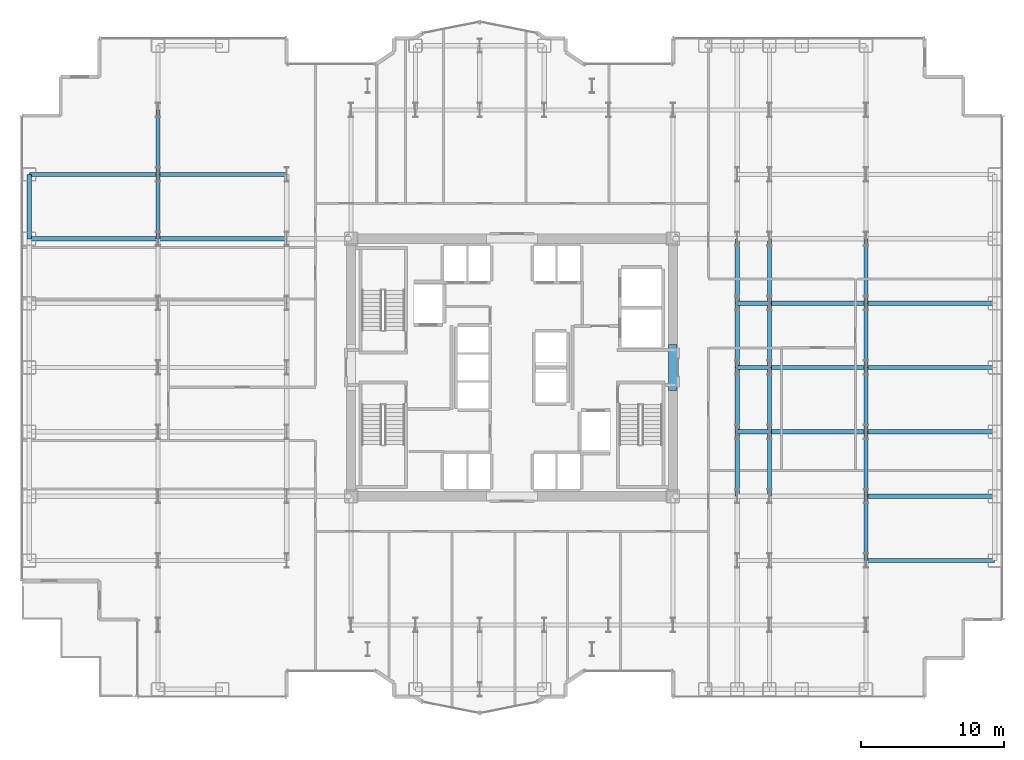
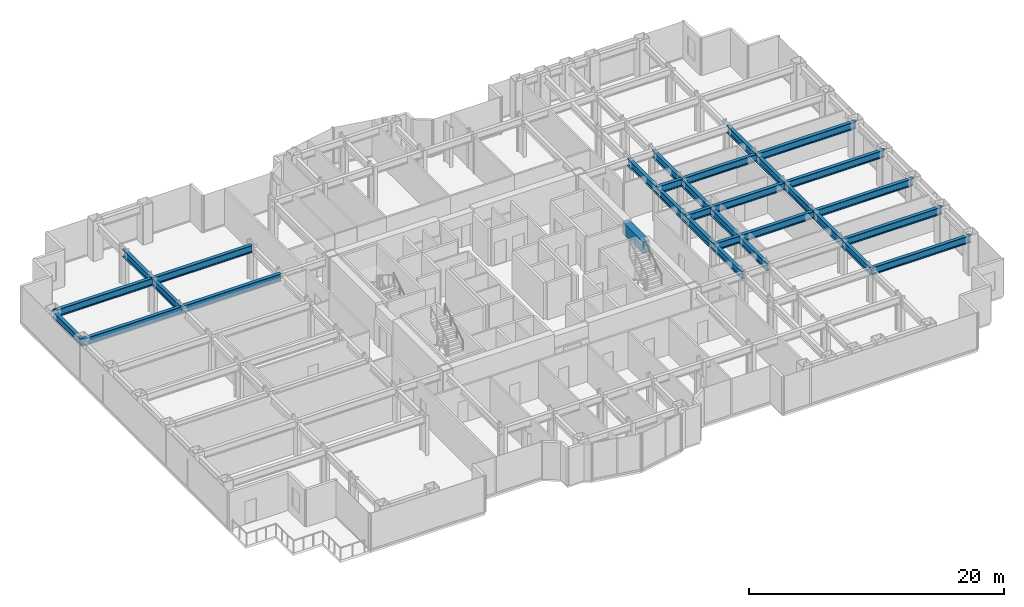
# One storey, part 8 of 27: 32 beams.
"""IFC4 building model written with IfcOpenShell, lengths in metres."""

from ifc_helpers import new_model, si_unit, direction, frame, origin, origin_2d, place, context, subcontext, project, spatial, rectangle, i_section, extrude, source, transform, mapped, material, material_profile, profile_set, type_object, element, save


model = new_model("IFC4")

# Units and contexts
model_context = context("Model", 3, precision=1e-05, world=origin(), true_north=direction((0.0, 1.0)))
body_context = subcontext(model_context, "Body", "Model", "MODEL_VIEW")
ifc_project = project(units=[si_unit("LENGTHUNIT", "METRE"), si_unit("AREAUNIT", "SQUARE_METRE"), si_unit("VOLUMEUNIT", "CUBIC_METRE"), si_unit("PLANEANGLEUNIT", "RADIAN"), si_unit("MASSUNIT", "GRAM", prefix="KILO")], contexts=[model_context])

# Site, building, storey
site_placement = place(None, origin())
site = spatial("IfcSite", under=ifc_project, at=site_placement, CompositionType="ELEMENT")
building_placement = place(site_placement, origin())
building = spatial("IfcBuilding", under=site, at=building_placement, Name="Nefas-Gora Pilgrimage Tower", CompositionType="ELEMENT")
storey_placement = place(building_placement, frame((0.0, 0.0, 48.199951171875)))
storey = spatial("IfcBuildingStorey", under=building, at=storey_placement, Name="L10", CompositionType="ELEMENT", Elevation=48.199951171875)

# Beams
ifc_material_1 = material(Name="Concrete C60/75", Category="concrete")
ifc_material_profile_1 = material_profile(ifc_material_1, rectangle(XDim=0.60009765625, YDim=1.10009765625, at=origin_2d()), Name="RC 600x1100")
ifc_profile_set_1 = profile_set([ifc_material_profile_1], Name="Concrete C60/75")
beam_type_1 = type_object("IfcBeamType", Name="BM-LIN-RC1100", PredefinedType="LINTEL", material=ifc_profile_set_1)
shared_shape_1 = source(origin(), body_context, "Body", "SweptSolid", [
    extrude(rectangle(XDim=0.60009765625, YDim=1.10009765625, at=origin_2d()), origin(), (0.0, 0.0, 1.0), 3.2001953125),
])
beam_1_placement = place(storey_placement, frame((11.25, -1.60009765625, 3.0), z_axis=(0.0, 1.0, 0.0), x_axis=(-1.0, 0.0, 0.0)))
element("IfcBeam", 1, at=beam_1_placement, inside=storey, type_object=beam_type_1, Name="L10 Core Coupling Lintel Beam E", PredefinedType="LINTEL", context=body_context, shape_type="MappedRepresentation", body=[
    mapped(shared_shape_1, transform((0.0, 0.0, 0.0), x_axis=(1.0, 0.0, 0.0), y_axis=(0.0, 1.0, 0.0), z_axis=(0.0, 0.0, 1.0), scale=1.0)),
])
ifc_material_2 = material(Name="Steel S355", Category="steel")
ifc_material_profile_2 = material_profile(ifc_material_2, i_section(OverallWidth=0.300048828125, OverallDepth=0.699951171875, WebThickness=0.01708984375, FlangeThickness=0.031982421875, FilletRadius=0.027099609375, at=origin_2d()), Name="HEB 700")
ifc_profile_set_2 = profile_set([ifc_material_profile_2], Name="Steel S355")
beam_type_2 = type_object("IfcBeamType", Name="BM-SPN-HEB600", PredefinedType="SPANDREL", material=ifc_profile_set_2)
shared_shape_2 = source(origin(), body_context, "Body", "SweptSolid", [
    extrude(i_section(OverallWidth=0.300048828125, OverallDepth=0.699951171875, WebThickness=0.01708984375, FlangeThickness=0.031982421875, FilletRadius=0.027099609375, at=origin_2d()), origin(), (0.0, 0.0, 1.0), 4.5),
])
beam_2_placement = place(storey_placement, frame((-33.75, 9.0, 3.199951171875), z_axis=(0.0, 1.0, 0.0), x_axis=(-1.0, 0.0, 0.0)))
element("IfcBeam", 2, at=beam_2_placement, inside=storey, type_object=beam_type_2, Name="L10 SP-01 beam", PredefinedType="SPANDREL", context=body_context, shape_type="MappedRepresentation", body=[
    mapped(shared_shape_2, transform((0.0, 0.0, 0.0), x_axis=(1.0, 0.0, 0.0), y_axis=(0.0, 1.0, 0.0), z_axis=(0.0, 0.0, 1.0), scale=1.0)),
])
ifc_material_profile_3 = material_profile(ifc_material_2, i_section(OverallWidth=0.300048828125, OverallDepth=0.699951171875, WebThickness=0.01708984375, FlangeThickness=0.031982421875, FilletRadius=0.027099609375, at=origin_2d()), Name="HEB 700")
ifc_profile_set_3 = profile_set([ifc_material_profile_3], Name="Steel S355")
beam_type_3 = type_object("IfcBeamType", Name="BM-GIR-HEB700", PredefinedType="BEAM", material=ifc_profile_set_3)
shared_shape_3 = source(origin(), body_context, "Body", "SweptSolid", [
    extrude(i_section(OverallWidth=0.300048828125, OverallDepth=0.699951171875, WebThickness=0.01708984375, FlangeThickness=0.031982421875, FilletRadius=0.027099609375, at=origin_2d()), origin(), (0.0, 0.0, 1.0), 9.0),
])
for number, where, z_axis, x_axis, name in (
    (3, (-33.75, 9.0, 3.199951171875), (1.0, 0.0, 0.0), (0.0, 1.0, 0.0), "L10 G-02 beam"),
    (4, (-33.75, 13.5, 3.199951171875), (1.0, 0.0, 0.0), (0.0, 1.0, 0.0), "L10 G-02 beam"),
    (5, (-24.75, 9.0, 3.199951171875), (1.0, 0.0, 0.0), (0.0, 1.0, 0.0), "L10 G-02 beam"),
    (6, (-24.75, 13.5, 3.199951171875), (1.0, 0.0, 0.0), (0.0, 1.0, 0.0), "L10 G-02 beam"),
    (7, (24.75, -13.5, 3.199951171875), (1.0, 0.0, 0.0), (0.0, 1.0, 0.0), "L10 G-02 beam"),
    (8, (24.75, -9.0, 3.199951171875), (1.0, 0.0, 0.0), (0.0, 1.0, 0.0), "L10 G-02 beam"),
    (9, (24.75, -4.5, 3.199951171875), (1.0, 0.0, 0.0), (0.0, 1.0, 0.0), "L10 G-02 beam"),
    (10, (24.75, 0.0, 3.199951171875), (1.0, 0.0, 0.0), (0.0, 1.0, 0.0), "L10 G-02 beam"),
    (11, (24.75, 4.5, 3.199951171875), (1.0, 0.0, 0.0), (0.0, 1.0, 0.0), "L10 G-02 beam"),
):
    element("IfcBeam", number, at=place(storey_placement, frame(where, z_axis=z_axis, x_axis=x_axis)), inside=storey, type_object=beam_type_3, Name=name, PredefinedType="BEAM", context=body_context, shape_type="MappedRepresentation", body=[
        mapped(shared_shape_3, transform((0.0, 0.0, 0.0), x_axis=(1.0, 0.0, 0.0), y_axis=(0.0, 1.0, 0.0), z_axis=(0.0, 0.0, 1.0), scale=1.0)),
    ])
shared_shape_4 = source(origin(), body_context, "Body", "SweptSolid", [
    extrude(i_section(OverallWidth=0.300048828125, OverallDepth=0.699951171875, WebThickness=0.01708984375, FlangeThickness=0.031982421875, FilletRadius=0.027099609375, at=origin_2d()), origin(), (0.0, 0.0, 1.0), 4.5),
])
for number, where, z_axis, x_axis, name in (
    (12, (-24.75, 9.0, 3.199951171875), (0.0, 1.0, 0.0), (-1.0, 0.0, 0.0), "L10 G-02 beam"),
    (13, (-24.75, 13.5, 3.199951171875), (0.0, 1.0, 0.0), (-1.0, 0.0, 0.0), "L10 G-02 beam"),
    (14, (15.75, -9.0, 3.199951171875), (0.0, 1.0, 0.0), (-1.0, 0.0, 0.0), "L10 G-02 beam"),
    (15, (15.75, -4.5, 3.199951171875), (0.0, 1.0, 0.0), (-1.0, 0.0, 0.0), "L10 G-02 beam"),
    (16, (15.75, 0.0, 3.199951171875), (0.0, 1.0, 0.0), (-1.0, 0.0, 0.0), "L10 G-02 beam"),
    (17, (15.75, 4.5, 3.199951171875), (0.0, 1.0, 0.0), (-1.0, 0.0, 0.0), "L10 G-02 beam"),
    (18, (18.0, -9.0, 3.199951171875), (0.0, 1.0, 0.0), (-1.0, 0.0, 0.0), "L10 G-02 beam"),
    (19, (18.0, -4.5, 3.199951171875), (0.0, 1.0, 0.0), (-1.0, 0.0, 0.0), "L10 G-02 beam"),
    (20, (18.0, 0.0, 3.199951171875), (0.0, 1.0, 0.0), (-1.0, 0.0, 0.0), "L10 G-02 beam"),
    (21, (18.0, 4.5, 3.199951171875), (0.0, 1.0, 0.0), (-1.0, 0.0, 0.0), "L10 G-02 beam"),
    (22, (24.75, -13.5, 3.199951171875), (0.0, 1.0, 0.0), (-1.0, 0.0, 0.0), "L10 G-02 beam"),
    (23, (24.75, -9.0, 3.199951171875), (0.0, 1.0, 0.0), (-1.0, 0.0, 0.0), "L10 G-02 beam"),
    (24, (24.75, -4.5, 3.199951171875), (0.0, 1.0, 0.0), (-1.0, 0.0, 0.0), "L10 G-02 beam"),
    (25, (24.75, 0.0, 3.199951171875), (0.0, 1.0, 0.0), (-1.0, 0.0, 0.0), "L10 G-02 beam"),
    (26, (24.75, 4.5, 3.199951171875), (0.0, 1.0, 0.0), (-1.0, 0.0, 0.0), "L10 G-02 beam"),
):
    element("IfcBeam", number, at=place(storey_placement, frame(where, z_axis=z_axis, x_axis=x_axis)), inside=storey, type_object=beam_type_3, Name=name, PredefinedType="BEAM", context=body_context, shape_type="MappedRepresentation", body=[
        mapped(shared_shape_4, transform((0.0, 0.0, 0.0), x_axis=(1.0, 0.0, 0.0), y_axis=(0.0, 1.0, 0.0), z_axis=(0.0, 0.0, 1.0), scale=1.0)),
    ])
shared_shape_5 = source(origin(), body_context, "Body", "SweptSolid", [
    extrude(i_section(OverallWidth=0.300048828125, OverallDepth=0.699951171875, WebThickness=0.01708984375, FlangeThickness=0.031982421875, FilletRadius=0.027099609375, at=origin_2d()), origin(), (0.0, 0.0, 1.0), 6.75),
])
for number, where, z_axis, x_axis, name in (
    (27, (18.0, -4.5, 3.199951171875), (1.0, 0.0, 0.0), (0.0, 1.0, 0.0), "L10 G-02 beam"),
    (28, (18.0, 0.0, 3.199951171875), (1.0, 0.0, 0.0), (0.0, 1.0, 0.0), "L10 G-02 beam"),
    (29, (18.0, 4.5, 3.199951171875), (1.0, 0.0, 0.0), (0.0, 1.0, 0.0), "L10 G-02 beam"),
):
    element("IfcBeam", number, at=place(storey_placement, frame(where, z_axis=z_axis, x_axis=x_axis)), inside=storey, type_object=beam_type_3, Name=name, PredefinedType="BEAM", context=body_context, shape_type="MappedRepresentation", body=[
        mapped(shared_shape_5, transform((0.0, 0.0, 0.0), x_axis=(1.0, 0.0, 0.0), y_axis=(0.0, 1.0, 0.0), z_axis=(0.0, 0.0, 1.0), scale=1.0)),
    ])
shared_shape_6 = source(origin(), body_context, "Body", "SweptSolid", [
    extrude(i_section(OverallWidth=0.300048828125, OverallDepth=0.699951171875, WebThickness=0.01708984375, FlangeThickness=0.031982421875, FilletRadius=0.027099609375, at=origin_2d()), origin(), (0.0, 0.0, 1.0), 2.25),
])
for number, where, z_axis, x_axis, name in (
    (30, (15.75, -4.5, 3.199951171875), (1.0, 0.0, 0.0), (0.0, 1.0, 0.0), "L10 G-02 beam"),
    (31, (15.75, 0.0, 3.199951171875), (1.0, 0.0, 0.0), (0.0, 1.0, 0.0), "L10 G-02 beam"),
    (32, (15.75, 4.5, 3.199951171875), (1.0, 0.0, 0.0), (0.0, 1.0, 0.0), "L10 G-02 beam"),
):
    element("IfcBeam", number, at=place(storey_placement, frame(where, z_axis=z_axis, x_axis=x_axis)), inside=storey, type_object=beam_type_3, Name=name, PredefinedType="BEAM", context=body_context, shape_type="MappedRepresentation", body=[
        mapped(shared_shape_6, transform((0.0, 0.0, 0.0), x_axis=(1.0, 0.0, 0.0), y_axis=(0.0, 1.0, 0.0), z_axis=(0.0, 0.0, 1.0), scale=1.0)),
    ])

save(model, "model.ifc")
